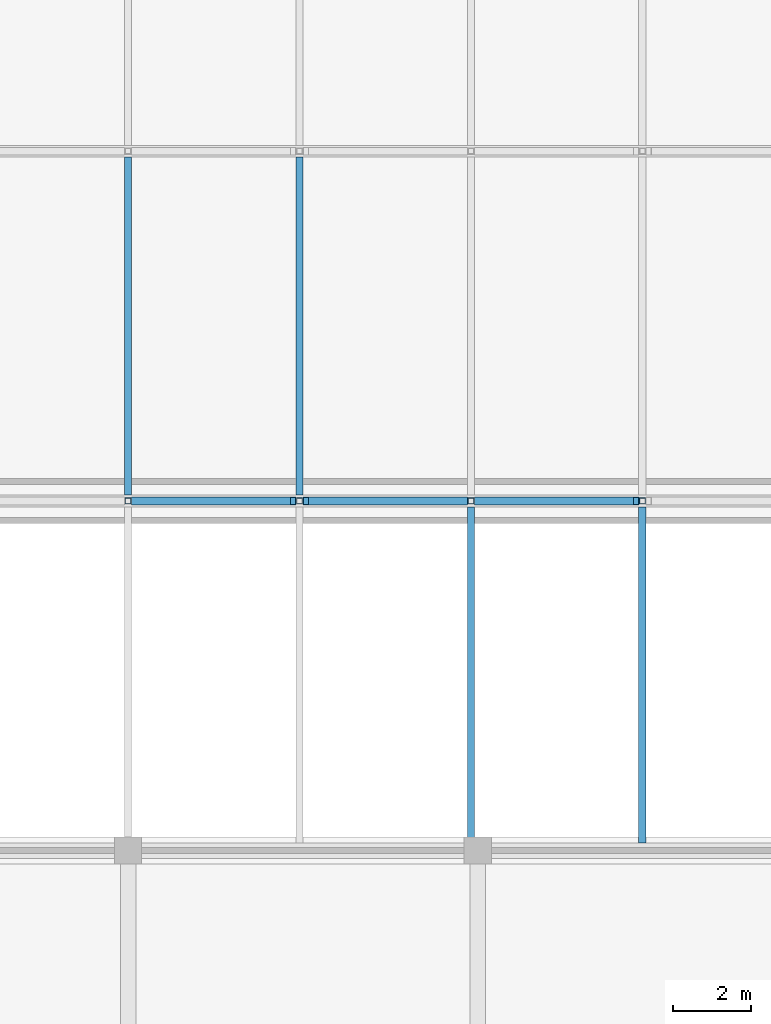
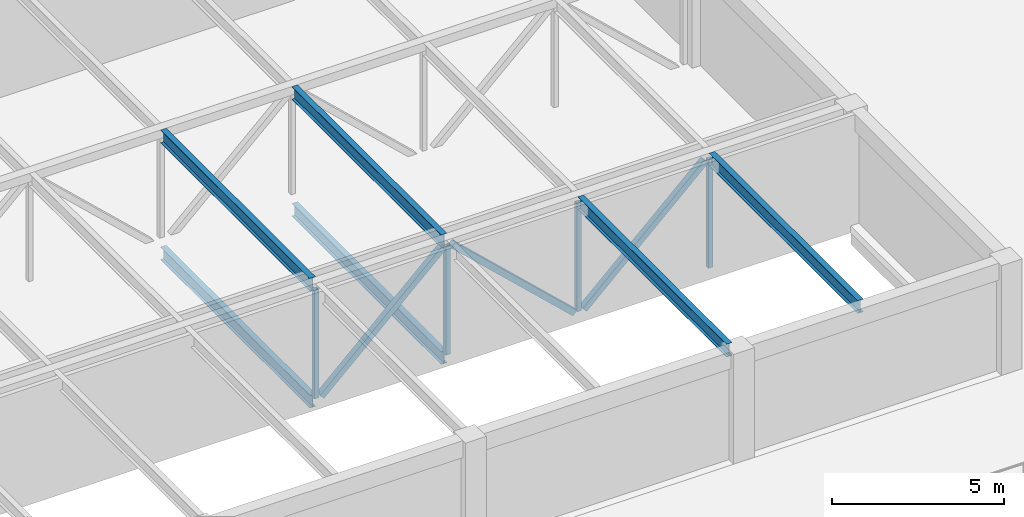
# One storey, part 5 of 30: 7 members, 6 beams.
"""IFC4 building model written with IfcOpenShell, lengths in metres."""

from ifc_helpers import new_model, si_unit, direction, frame, origin, origin_2d, place, context, subcontext, project, spatial, hollow_rectangle, i_section, extrude, material, material_profile, profile_set, type_object, element, save


model = new_model("IFC4")

# Units and contexts
model_context = context("Model", 3, precision=1e-05, world=origin(), true_north=direction((0.0, 1.0)))
body_context = subcontext(model_context, "Body", "Model", "MODEL_VIEW")
ifc_project = project(units=[si_unit("LENGTHUNIT", "METRE"), si_unit("AREAUNIT", "SQUARE_METRE"), si_unit("VOLUMEUNIT", "CUBIC_METRE"), si_unit("PLANEANGLEUNIT", "RADIAN"), si_unit("MASSUNIT", "GRAM", prefix="KILO")], contexts=[model_context])

# Site, building, storey
site_placement = place(None, origin())
site = spatial("IfcSite", under=ifc_project, at=site_placement, CompositionType="ELEMENT")
building_placement = place(site_placement, origin())
building = spatial("IfcBuilding", under=site, at=building_placement, Name="Corbel Stack Research Tower", CompositionType="ELEMENT")
storey_placement = place(building_placement, frame((0.0, 0.0, 19.5)))
storey = spatial("IfcBuildingStorey", under=building, at=storey_placement, Name="L04", CompositionType="ELEMENT", Elevation=19.5)

# Beams
ifc_material_1 = material(Name="Steel S355", Category="steel")
ifc_material_profile_1 = material_profile(ifc_material_1, i_section(OverallWidth=0.18994140625, OverallDepth=0.45703125, WebThickness=0.009033203125, FlangeThickness=0.013916015625, at=origin_2d()), Name="W18x50")
ifc_profile_set_1 = profile_set([ifc_material_profile_1], Name="Steel S355")
beam_type = type_object("IfcBeamType", Name="HB3 steel beam W18x50", PredefinedType="BEAM", material=ifc_profile_set_1)
for number, where, z_axis, x_axis, name in (
    (1, (68.949951171875, -8.847412109375, -0.478515625), (0.0, 1.0, 0.0), (-1.0, 0.0, 0.0), "Steel floor beam L04 bay 2 line 4"),
    (2, (73.362548828125, -8.847412109375, -0.478515625), (0.0, 1.0, 0.0), (-1.0, 0.0, 0.0), "Steel floor beam L04 bay 2 line 5"),
):
    element("IfcBeam", number, at=place(storey_placement, frame(where, z_axis=z_axis, x_axis=x_axis)), inside=storey, type_object=beam_type, Name=name, PredefinedType="BEAM", context=body_context, shape_type="SweptSolid", body=[
        extrude(i_section(OverallWidth=0.18994140625, OverallDepth=0.45703125, WebThickness=0.009033203125, FlangeThickness=0.013916015625, at=origin_2d()), origin(), (0.0, 0.0, 1.0), 8.69482421875),
    ])
for number, where, z_axis, x_axis, name in (
    (3, (77.77490234375, -17.800048828125, 3.67138671875), (0.0, 1.0, 0.0), (-1.0, 0.0, 0.0), "Steel floor beam R bay 1 line 6"),
    (4, (82.1875, -17.800048828125, 3.67138671875), (0.0, 1.0, 0.0), (-1.0, 0.0, 0.0), "Steel floor beam R bay 1 line 7"),
):
    element("IfcBeam", number, at=place(storey_placement, frame(where, z_axis=z_axis, x_axis=x_axis)), inside=storey, type_object=beam_type, Name=name, PredefinedType="BEAM", context=body_context, shape_type="SweptSolid", body=[
        extrude(i_section(OverallWidth=0.18994140625, OverallDepth=0.45703125, WebThickness=0.009033203125, FlangeThickness=0.013916015625, at=origin_2d()), origin(), (0.0, 0.0, 1.0), 8.6474609375),
    ])
for number, where, z_axis, x_axis, name in (
    (5, (68.949951171875, -8.847412109375, 3.67138671875), (0.0, 1.0, 0.0), (-1.0, 0.0, 0.0), "Steel floor beam R bay 2 line 4"),
    (6, (73.362548828125, -8.847412109375, 3.67138671875), (0.0, 1.0, 0.0), (-1.0, 0.0, 0.0), "Steel floor beam R bay 2 line 5"),
):
    element("IfcBeam", number, at=place(storey_placement, frame(where, z_axis=z_axis, x_axis=x_axis)), inside=storey, type_object=beam_type, Name=name, PredefinedType="BEAM", context=body_context, shape_type="SweptSolid", body=[
        extrude(i_section(OverallWidth=0.18994140625, OverallDepth=0.45703125, WebThickness=0.009033203125, FlangeThickness=0.013916015625, at=origin_2d()), origin(), (0.0, 0.0, 1.0), 8.69482421875),
    ])

# Members
ifc_material_2 = material(Name="Steel S355", Category="steel")
ifc_material_profile_2 = material_profile(ifc_material_2, hollow_rectangle(XDim=0.202880859375, YDim=0.202880859375, WallThickness=0.0087890625, at=origin_2d()), Name="HSS8x8x3/8")
ifc_profile_set_2 = profile_set([ifc_material_profile_2], Name="Steel S355")
member_type_1 = type_object("IfcMemberType", Name="HT2 truss diagonal HSS8x8x3/8", PredefinedType="BRACE", material=ifc_profile_set_2)
for number, where, z_axis, x_axis, name in (
    (7, (69.112060546875, -9.0, -0.25), (0.728459187547, 0.0, 0.685089200089), (0.0, 1.0, 0.0), "Truss TB1 diagonal 5"),
    (8, (73.524658203125, -9.0, 3.594970703125), (0.728438769744, 0.0, -0.685110909805), (0.0, 1.0, 0.0), "Truss TB1 diagonal 6"),
    (9, (77.937255859375, -9.0, -0.25), (0.728438769744, 0.0, 0.685110909805), (0.0, 1.0, 0.0), "Truss TB1 diagonal 7"),
):
    element("IfcMember", number, at=place(storey_placement, frame(where, z_axis=z_axis, x_axis=x_axis)), inside=storey, type_object=member_type_1, Name=name, PredefinedType="BRACE", context=body_context, shape_type="SweptSolid", body=[
        extrude(hollow_rectangle(XDim=0.202880859375, YDim=0.202880859375, WallThickness=0.0087890625, at=origin_2d()), origin(), (0.0, 0.0, 1.0), 5.6123046875),
    ])
ifc_material_3 = material(Name="Steel S355", Category="steel")
ifc_material_profile_3 = material_profile(ifc_material_3, hollow_rectangle(XDim=0.152099609375, YDim=0.152099609375, WallThickness=0.005859375, at=origin_2d()), Name="HSS6x6x1/4")
ifc_profile_set_3 = profile_set([ifc_material_profile_3], Name="Steel S355")
member_type_2 = type_object("IfcMemberType", Name="HT3 truss post HSS6x6x1/4", PredefinedType="POST", material=ifc_profile_set_3)
for number, where, z_axis, x_axis, name in (
    (10, (68.949951171875, -9.0, -0.25), (0.0, 0.0, 1.0), (1.0, 0.0, 0.0), "Truss TB1 post 5"),
    (11, (73.362548828125, -9.0, -0.25), (0.0, 0.0, 1.0), (1.0, 0.0, 0.0), "Truss TB1 post 6"),
    (12, (77.77490234375, -9.0, -0.25), (0.0, 0.0, 1.0), (1.0, 0.0, 0.0), "Truss TB1 post 7"),
    (13, (82.1875, -9.0, -0.25), (0.0, 0.0, 1.0), (1.0, 0.0, 0.0), "Truss TB1 post 8"),
):
    element("IfcMember", number, at=place(storey_placement, frame(where, z_axis=z_axis, x_axis=x_axis)), inside=storey, type_object=member_type_2, Name=name, PredefinedType="POST", context=body_context, shape_type="SweptSolid", body=[
        extrude(hollow_rectangle(XDim=0.152099609375, YDim=0.152099609375, WallThickness=0.005859375, at=origin_2d()), origin(), (0.0, 0.0, 1.0), 3.844970703125),
    ])

save(model, "model.ifc")
